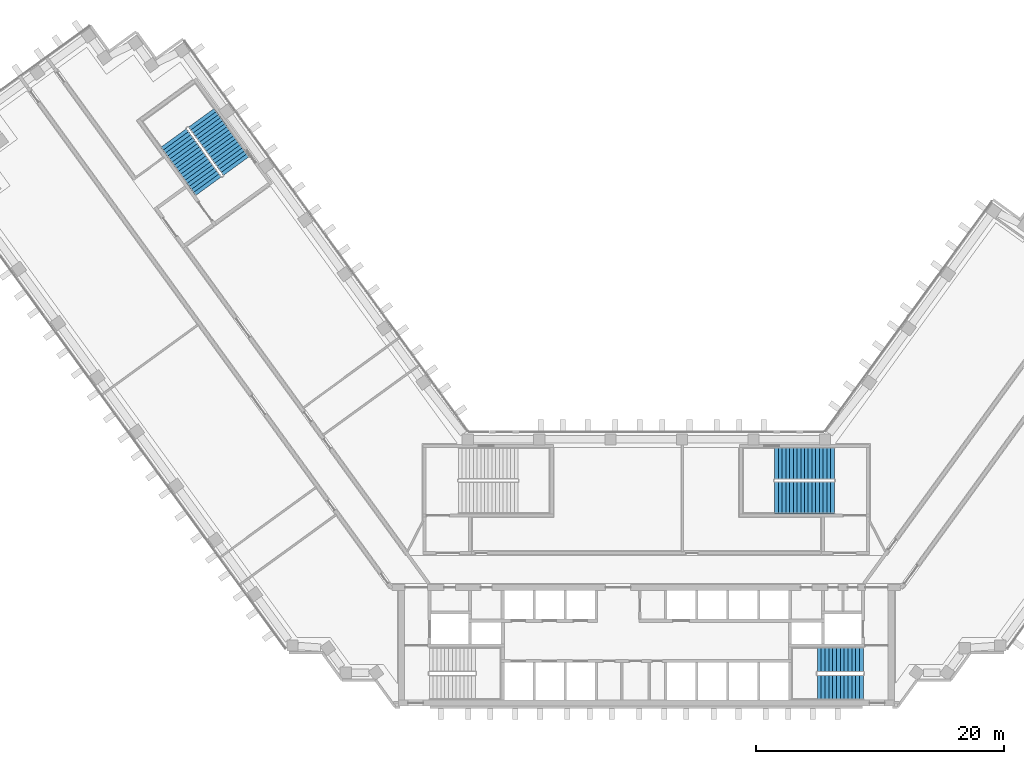
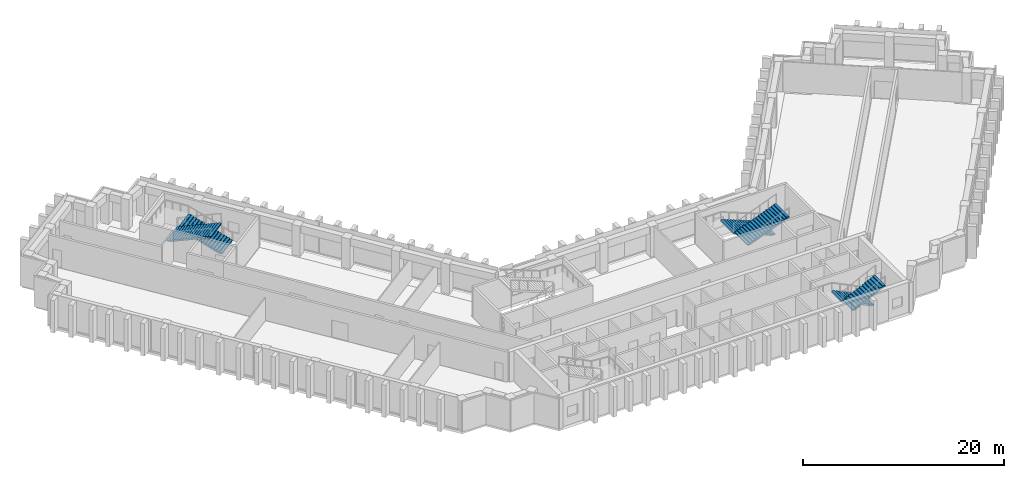
# One storey, part 11 of 13: 6 stair flights, 3 elements without a shape of their own.
"""IFC4 building model written with IfcOpenShell, lengths in metres."""

from ifc_helpers import new_model, si_unit, direction, frame, origin, place, context, subcontext, project, spatial, polyline, outline, extrude, material, type_object, element, aggregate, save


model = new_model("IFC4")

# Units and contexts
model_context = context("Model", 3, precision=1e-05, world=origin(), true_north=direction((0.0, 1.0)))
body_context = subcontext(model_context, "Body", "Model", "MODEL_VIEW")
ifc_project = project(units=[si_unit("LENGTHUNIT", "METRE"), si_unit("AREAUNIT", "SQUARE_METRE"), si_unit("VOLUMEUNIT", "CUBIC_METRE"), si_unit("PLANEANGLEUNIT", "RADIAN"), si_unit("MASSUNIT", "GRAM", prefix="KILO")], contexts=[model_context])

# Site, building, storey
site_placement = place(None, origin())
site = spatial("IfcSite", under=ifc_project, at=site_placement, CompositionType="ELEMENT")
building_placement = place(site_placement, origin())
building = spatial("IfcBuilding", under=site, at=building_placement, Name="Quipu Civic Tower", CompositionType="ELEMENT")
storey_placement = place(building_placement, frame((0.0, 0.0, 85.0)))
storey = spatial("IfcBuildingStorey", under=building, at=storey_placement, Name="L19", CompositionType="ELEMENT", Elevation=85.0)

# Stair, stair flights
ifc_material_1 = material(Name="Concrete C40/50", Category="concrete")
stair_type_1 = type_object("IfcStairType", Name="Half turn stair 2000", PredefinedType="HALF_TURN_STAIR", material=ifc_material_1)
stair_1_placement = place(storey_placement, origin())
stair_1 = element("IfcStair", 1, at=stair_1_placement, inside=storey, type_object=stair_type_1, Name="Exit stair 2", PredefinedType="HALF_TURN_STAIR")
ifc_material_2 = material(Name="Concrete C40/50", Category="concrete")
stair_flight_type_1 = type_object("IfcStairFlightType", Name="Stair flight 2000", PredefinedType="STRAIGHT", material=ifc_material_2)
stair_flight_1_placement = place(storey_placement, frame((17.5, -7.25, 0.0), z_axis=(0.0, 0.0, 1.0), x_axis=(-1.0, 0.0, 0.0)))
stair_flight_1 = element("IfcStairFlight", 2, at=stair_flight_1_placement, type_object=stair_flight_type_1, Name="ST-2 flight 1", NumberOfRisers=13, NumberOfTreads=12, PredefinedType="STRAIGHT", RiserHeight=0.153846154, TreadLength=0.31, context=body_context, shape_type="SweptSolid", body=[
    extrude(outline(polyline([(0.0, 0.0), (0.0, 0.15380859375), (0.31005859375, 0.15380859375), (0.31005859375, 0.3076171875), (0.6201171875, 0.3076171875), (0.6201171875, 0.46142578125), (0.929931640625, 0.46142578125), (0.929931640625, 0.615478515625), (1.239990234375, 0.615478515625), (1.239990234375, 0.769287109375), (1.550048828125, 0.769287109375), (1.550048828125, 0.923095703125), (1.860107421875, 0.923095703125), (1.860107421875, 1.076904296875), (2.169921875, 1.076904296875), (2.169921875, 1.230712890625), (2.47998046875, 1.230712890625), (2.47998046875, 1.384521484375), (2.7900390625, 1.384521484375), (2.7900390625, 1.53857421875), (3.10009765625, 1.53857421875), (3.10009765625, 1.6923828125), (3.409912109375, 1.6923828125), (3.409912109375, 1.84619140625), (3.719970703125, 1.84619140625), (3.719970703125, 2.0), (3.719970703125, 1.6787109375), (0.337158203125, 0.0), (0.0, 0.0)])), frame((0.0, 1.0, 0.0), z_axis=(0.0, -1.0, 0.0), x_axis=(1.0, 0.0, 0.0)), (0.0, 0.0, 1.0), 2.0),
])
stair_flight_2_placement = place(storey_placement, frame((13.780029296875, -9.5, 2.0), z_axis=(0.0, 0.0, 1.0), x_axis=(1.0, 0.0, 0.0)))
stair_flight_2 = element("IfcStairFlight", 3, at=stair_flight_2_placement, type_object=stair_flight_type_1, Name="ST-2 flight 2", NumberOfRisers=13, NumberOfTreads=12, PredefinedType="STRAIGHT", RiserHeight=0.153846154, TreadLength=0.31, context=body_context, shape_type="SweptSolid", body=[
    extrude(outline(polyline([(0.0, 0.0), (0.0, 0.15380859375), (0.31005859375, 0.15380859375), (0.31005859375, 0.3076171875), (0.6201171875, 0.3076171875), (0.6201171875, 0.46142578125), (0.929931640625, 0.46142578125), (0.929931640625, 0.615478515625), (1.239990234375, 0.615478515625), (1.239990234375, 0.769287109375), (1.550048828125, 0.769287109375), (1.550048828125, 0.923095703125), (1.860107421875, 0.923095703125), (1.860107421875, 1.076904296875), (2.169921875, 1.076904296875), (2.169921875, 1.230712890625), (2.47998046875, 1.230712890625), (2.47998046875, 1.384521484375), (2.7900390625, 1.384521484375), (2.7900390625, 1.53857421875), (3.10009765625, 1.53857421875), (3.10009765625, 1.6923828125), (3.409912109375, 1.6923828125), (3.409912109375, 1.84619140625), (3.719970703125, 1.84619140625), (3.719970703125, 2.0), (3.719970703125, 1.6787109375), (0.337158203125, 0.0), (0.0, 0.0)])), frame((0.0, 1.0, 0.0), z_axis=(0.0, -1.0, 0.0), x_axis=(1.0, 0.0, 0.0)), (0.0, 0.0, 1.0), 2.0),
])
aggregate(stair_1, [stair_flight_1, stair_flight_2])

ifc_material_3 = material(Name="Concrete C40/50", Category="concrete")
stair_type_2 = type_object("IfcStairType", Name="Half turn stair 2600", PredefinedType="HALF_TURN_STAIR", material=ifc_material_3)
stair_2_placement = place(storey_placement, origin())
stair_2 = element("IfcStair", 4, at=stair_2_placement, inside=storey, type_object=stair_type_2, Name="Exit stair 4", PredefinedType="HALF_TURN_STAIR")
ifc_material_4 = material(Name="Concrete C40/50", Category="concrete")
stair_flight_type_2 = type_object("IfcStairFlightType", Name="Stair flight 2600", PredefinedType="STRAIGHT", material=ifc_material_4)
stair_flight_3_placement = place(storey_placement, frame((15.14990234375, 8.550048828125, 0.0), z_axis=(0.0, 0.0, 1.0), x_axis=(-1.0, 0.0, 0.0)))
stair_flight_3 = element("IfcStairFlight", 5, at=stair_flight_3_placement, type_object=stair_flight_type_2, Name="ST-4 flight 1", NumberOfRisers=17, NumberOfTreads=16, PredefinedType="STRAIGHT", RiserHeight=0.117647059, TreadLength=0.3, context=body_context, shape_type="SweptSolid", body=[
    extrude(outline(polyline([(0.0, 0.0), (0.0, 0.11767578125), (0.300048828125, 0.11767578125), (0.300048828125, 0.2353515625), (0.60009765625, 0.2353515625), (0.60009765625, 0.35302734375), (0.89990234375, 0.35302734375), (0.89990234375, 0.470703125), (1.199951171875, 0.470703125), (1.199951171875, 0.588134765625), (1.5, 0.588134765625), (1.5, 0.705810546875), (1.800048828125, 0.705810546875), (1.800048828125, 0.823486328125), (2.10009765625, 0.823486328125), (2.10009765625, 0.941162109375), (2.39990234375, 0.941162109375), (2.39990234375, 1.058837890625), (2.699951171875, 1.058837890625), (2.699951171875, 1.176513671875), (3.0, 1.176513671875), (3.0, 1.294189453125), (3.300048828125, 1.294189453125), (3.300048828125, 1.411865234375), (3.60009765625, 1.411865234375), (3.60009765625, 1.529296875), (3.89990234375, 1.529296875), (3.89990234375, 1.64697265625), (4.199951171875, 1.64697265625), (4.199951171875, 1.7646484375), (4.5, 1.7646484375), (4.5, 1.88232421875), (4.800048828125, 1.88232421875), (4.800048828125, 2.0), (4.800048828125, 1.721435546875), (0.41064453125, 0.0), (0.0, 0.0)])), frame((0.0, 1.300048828125, 0.0), z_axis=(0.0, -1.0, 0.0), x_axis=(1.0, 0.0, 0.0)), (0.0, 0.0, 1.0), 2.60009765625),
])
stair_flight_4_placement = place(storey_placement, frame((10.35009765625, 5.800048828125, 2.0), z_axis=(0.0, 0.0, 1.0), x_axis=(1.0, 0.0, 0.0)))
stair_flight_4 = element("IfcStairFlight", 6, at=stair_flight_4_placement, type_object=stair_flight_type_2, Name="ST-4 flight 2", NumberOfRisers=17, NumberOfTreads=16, PredefinedType="STRAIGHT", RiserHeight=0.117647059, TreadLength=0.3, context=body_context, shape_type="SweptSolid", body=[
    extrude(outline(polyline([(0.0, 0.0), (0.0, 0.11767578125), (0.300048828125, 0.11767578125), (0.300048828125, 0.2353515625), (0.60009765625, 0.2353515625), (0.60009765625, 0.35302734375), (0.89990234375, 0.35302734375), (0.89990234375, 0.470703125), (1.199951171875, 0.470703125), (1.199951171875, 0.588134765625), (1.5, 0.588134765625), (1.5, 0.705810546875), (1.800048828125, 0.705810546875), (1.800048828125, 0.823486328125), (2.10009765625, 0.823486328125), (2.10009765625, 0.941162109375), (2.39990234375, 0.941162109375), (2.39990234375, 1.058837890625), (2.699951171875, 1.058837890625), (2.699951171875, 1.176513671875), (3.0, 1.176513671875), (3.0, 1.294189453125), (3.300048828125, 1.294189453125), (3.300048828125, 1.411865234375), (3.60009765625, 1.411865234375), (3.60009765625, 1.529296875), (3.89990234375, 1.529296875), (3.89990234375, 1.64697265625), (4.199951171875, 1.64697265625), (4.199951171875, 1.7646484375), (4.5, 1.7646484375), (4.5, 1.88232421875), (4.800048828125, 1.88232421875), (4.800048828125, 2.0), (4.800048828125, 1.721435546875), (0.41064453125, 0.0), (0.0, 0.0)])), frame((0.0, 1.300048828125, 0.0), z_axis=(0.0, -1.0, 0.0), x_axis=(1.0, 0.0, 0.0)), (0.0, 0.0, 1.0), 2.60009765625),
])
aggregate(stair_2, [stair_flight_3, stair_flight_4])

stair_3_placement = place(storey_placement, origin())
stair_3 = element("IfcStair", 7, at=stair_3_placement, inside=storey, type_object=stair_type_2, Name="Exit stair 6", PredefinedType="HALF_TURN_STAIR")
stair_flight_5_placement = place(storey_placement, frame((-33.067626953125, 32.5322265625, 0.0), z_axis=(0.0, 0.0, 1.0), x_axis=(-0.587785252292, 0.809016994375, 0.0)))
stair_flight_5 = element("IfcStairFlight", 8, at=stair_flight_5_placement, type_object=stair_flight_type_2, Name="ST-6 flight 1", NumberOfRisers=17, NumberOfTreads=16, PredefinedType="STRAIGHT", RiserHeight=0.117647059, TreadLength=0.3, context=body_context, shape_type="SweptSolid", body=[
    extrude(outline(polyline([(0.0, 0.0), (0.0, 0.11767578125), (0.300048828125, 0.11767578125), (0.300048828125, 0.2353515625), (0.60009765625, 0.2353515625), (0.60009765625, 0.35302734375), (0.89990234375, 0.35302734375), (0.89990234375, 0.470703125), (1.199951171875, 0.470703125), (1.199951171875, 0.588134765625), (1.5, 0.588134765625), (1.5, 0.705810546875), (1.800048828125, 0.705810546875), (1.800048828125, 0.823486328125), (2.10009765625, 0.823486328125), (2.10009765625, 0.941162109375), (2.39990234375, 0.941162109375), (2.39990234375, 1.058837890625), (2.699951171875, 1.058837890625), (2.699951171875, 1.176513671875), (3.0, 1.176513671875), (3.0, 1.294189453125), (3.300048828125, 1.294189453125), (3.300048828125, 1.411865234375), (3.60009765625, 1.411865234375), (3.60009765625, 1.529296875), (3.89990234375, 1.529296875), (3.89990234375, 1.64697265625), (4.199951171875, 1.64697265625), (4.199951171875, 1.7646484375), (4.5, 1.7646484375), (4.5, 1.88232421875), (4.800048828125, 1.88232421875), (4.800048828125, 2.0), (4.800048828125, 1.721435546875), (0.41064453125, 0.0), (0.0, 0.0)])), frame((0.0, 1.300048828125, 0.0), z_axis=(0.0, -1.0, 0.0), x_axis=(1.0, 0.0, 0.0)), (0.0, 0.0, 1.0), 2.60009765625),
])
stair_flight_6_placement = place(storey_placement, frame((-38.11376953125, 34.799072265625, 2.0), z_axis=(0.0, 0.0, 1.0), x_axis=(0.587785252292, -0.809016994375, 0.0)))
stair_flight_6 = element("IfcStairFlight", 9, at=stair_flight_6_placement, type_object=stair_flight_type_2, Name="ST-6 flight 2", NumberOfRisers=17, NumberOfTreads=16, PredefinedType="STRAIGHT", RiserHeight=0.117647059, TreadLength=0.3, context=body_context, shape_type="SweptSolid", body=[
    extrude(outline(polyline([(0.0, 0.0), (0.0, 0.11767578125), (0.300048828125, 0.11767578125), (0.300048828125, 0.2353515625), (0.60009765625, 0.2353515625), (0.60009765625, 0.35302734375), (0.89990234375, 0.35302734375), (0.89990234375, 0.470703125), (1.199951171875, 0.470703125), (1.199951171875, 0.588134765625), (1.5, 0.588134765625), (1.5, 0.705810546875), (1.800048828125, 0.705810546875), (1.800048828125, 0.823486328125), (2.10009765625, 0.823486328125), (2.10009765625, 0.941162109375), (2.39990234375, 0.941162109375), (2.39990234375, 1.058837890625), (2.699951171875, 1.058837890625), (2.699951171875, 1.176513671875), (3.0, 1.176513671875), (3.0, 1.294189453125), (3.300048828125, 1.294189453125), (3.300048828125, 1.411865234375), (3.60009765625, 1.411865234375), (3.60009765625, 1.529296875), (3.89990234375, 1.529296875), (3.89990234375, 1.64697265625), (4.199951171875, 1.64697265625), (4.199951171875, 1.7646484375), (4.5, 1.7646484375), (4.5, 1.88232421875), (4.800048828125, 1.88232421875), (4.800048828125, 2.0), (4.800048828125, 1.721435546875), (0.41064453125, 0.0), (0.0, 0.0)])), frame((0.0, 1.300048828125, 0.0), z_axis=(0.0, -1.0, 0.0), x_axis=(1.0, 0.0, 0.0)), (0.0, 0.0, 1.0), 2.60009765625),
])
aggregate(stair_3, [stair_flight_5, stair_flight_6])

save(model, "model.ifc")
